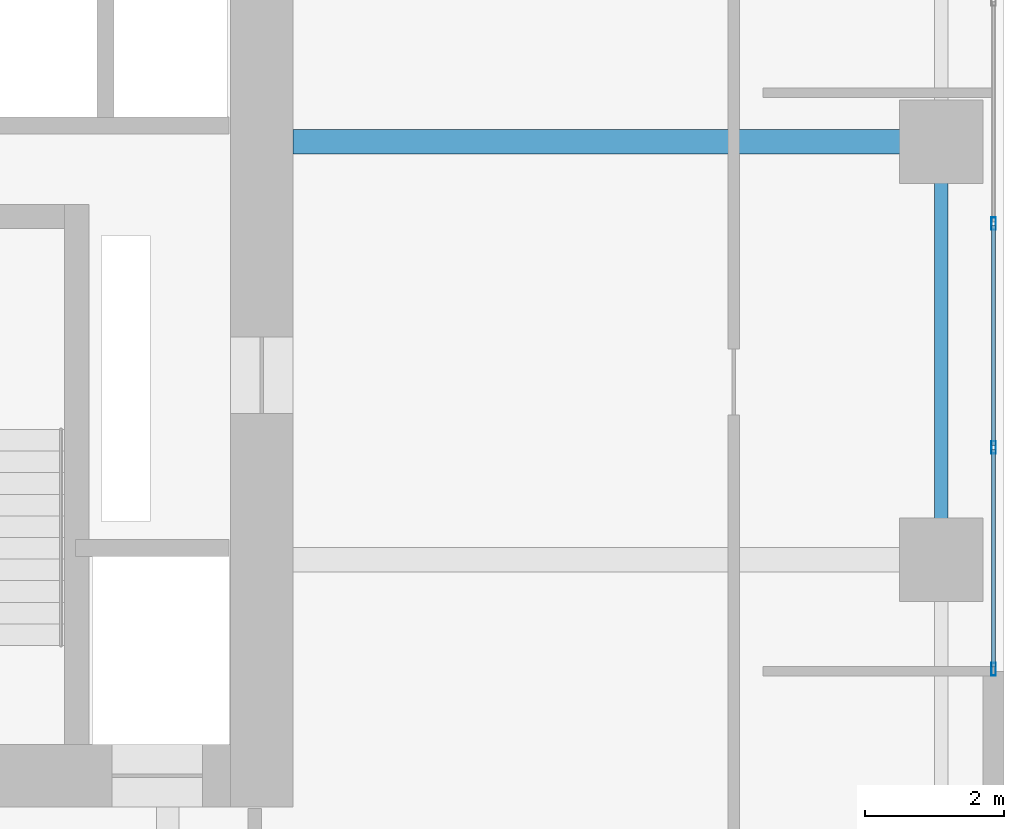
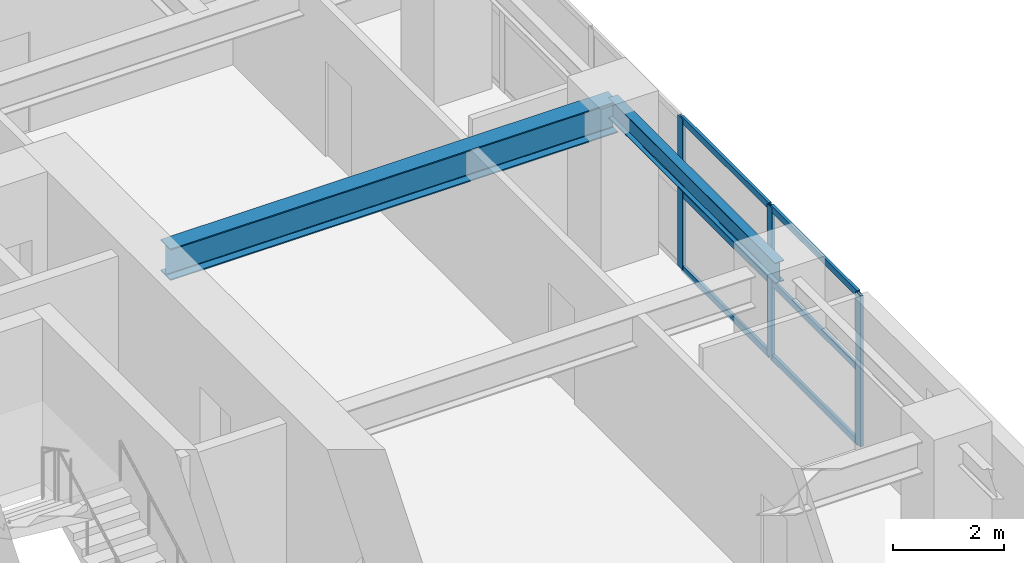
# One storey, part 7 of 24: 9 members, 2 beams, 1 element without a shape of its own.
"""IFC4 building model written with IfcOpenShell, lengths in metres."""

from ifc_helpers import new_model, si_unit, direction, frame, origin, origin_2d, place, context, subcontext, project, spatial, hollow_rectangle, i_section, extrude, source, transform, mapped, material, layer, layer_set, material_profile, profile_set, type_object, element, aggregate, save


model = new_model("IFC4")

# Units and contexts
model_context = context("Model", 3, precision=1e-05, world=origin(), true_north=direction((0.0, 1.0)))
body_context = subcontext(model_context, "Body", "Model", "MODEL_VIEW")
ifc_project = project(units=[si_unit("LENGTHUNIT", "METRE"), si_unit("AREAUNIT", "SQUARE_METRE"), si_unit("VOLUMEUNIT", "CUBIC_METRE"), si_unit("PLANEANGLEUNIT", "RADIAN"), si_unit("MASSUNIT", "GRAM", prefix="KILO")], contexts=[model_context])

# Site, building, storey
site_placement = place(None, origin())
site = spatial("IfcSite", under=ifc_project, at=site_placement, CompositionType="ELEMENT")
building_placement = place(site_placement, origin())
building = spatial("IfcBuilding", under=site, at=building_placement, Name="Khoralis Quay Care Tower", CompositionType="ELEMENT")
storey_placement = place(building_placement, frame((0.0, 0.0, 62.10009765625)))
storey = spatial("IfcBuildingStorey", under=building, at=storey_placement, Name="L16", CompositionType="ELEMENT", Elevation=62.10009765625)

# Beams
ifc_material_1 = material(Name="Steel S355", Category="steel")
ifc_material_profile_1 = material_profile(ifc_material_1, i_section(OverallWidth=0.18994140625, OverallDepth=0.449951171875, WebThickness=0.009521484375, FlangeThickness=0.0146484375, FilletRadius=0.02099609375, at=origin_2d()), Name="Steel S355")
ifc_profile_set_1 = profile_set([ifc_material_profile_1], Name="Steel S355")
beam_type_1 = type_object("IfcBeamType", Name="BM-IPE450", PredefinedType="SPANDREL", material=ifc_profile_set_1)
shared_shape_1 = source(origin(), body_context, "Body", "SweptSolid", [
    extrude(i_section(OverallWidth=0.18994140625, OverallDepth=0.449951171875, WebThickness=0.009521484375, FlangeThickness=0.0146484375, FilletRadius=0.02099609375, at=origin_2d()), origin(), (0.0, 0.0, 1.0), 6.0),
])
beam_1_placement = place(storey_placement, frame((47.10009765625, 18.0, 3.094970703125), z_axis=(0.0, 1.0, 0.0), x_axis=(-1.0, 0.0, 0.0)))
element("IfcBeam", 1, at=beam_1_placement, inside=storey, type_object=beam_type_1, Name="BM-TSP-L16-21", PredefinedType="SPANDREL", context=body_context, shape_type="MappedRepresentation", body=[
    mapped(shared_shape_1, transform((0.0, 0.0, 0.0), scale=1.0)),
])
ifc_material_profile_2 = material_profile(ifc_material_1, i_section(OverallWidth=0.35498046875, OverallDepth=0.695068359375, WebThickness=0.015380859375, FlangeThickness=0.02490234375, FilletRadius=0.02001953125, at=origin_2d()), Name="Steel S355")
ifc_profile_set_2 = profile_set([ifc_material_profile_2], Name="Steel S355")
beam_type_2 = type_object("IfcBeamType", Name="BM-W690X217", PredefinedType="BEAM", material=ifc_profile_set_2)
shared_shape_2 = source(origin(), body_context, "Body", "SweptSolid", [
    extrude(i_section(OverallWidth=0.35498046875, OverallDepth=0.695068359375, WebThickness=0.015380859375, FlangeThickness=0.02490234375, FilletRadius=0.02001953125, at=origin_2d()), origin(), (0.0, 0.0, 1.0), 9.302001953125),
])
beam_2_placement = place(storey_placement, frame((37.798095703125, 24.0, 2.972412109375), z_axis=(1.0, 0.0, 0.0), x_axis=(0.0, 1.0, 0.0)))
element("IfcBeam", 2, at=beam_2_placement, inside=storey, type_object=beam_type_2, Name="BM-TGXE-L16-240", PredefinedType="BEAM", context=body_context, shape_type="MappedRepresentation", body=[
    mapped(shared_shape_2, transform((0.0, 0.0, 0.0), scale=1.0)),
])

# Curtain wall, members
ifc_material_2 = material(Name="Pale anodised aluminium", Category="aluminium")
ifc_layer = layer(ifc_material_2, 0.179931640625)
ifc_layer_set = layer_set([ifc_layer], Name="Pale anodised aluminium")
curtain_wall_type = type_object("IfcCurtainWallType", Name="CW-SYS-Z1", PredefinedType="NOTDEFINED", material=ifc_layer_set)
curtain_wall_placement = place(storey_placement, origin())
curtain_wall = element("IfcCurtainWall", 3, at=curtain_wall_placement, inside=storey, type_object=curtain_wall_type, Name="L16 Unitised Curtain Wall CW-L16-P1-E5", PredefinedType="NOTDEFINED")
ifc_material_profile_3 = material_profile(ifc_material_2, hollow_rectangle(XDim=0.06005859375, YDim=0.139892578125, WallThickness=0.00390625, at=origin_2d()), Name="Pale anodised aluminium")
ifc_profile_set_3 = profile_set([ifc_material_profile_3], Name="Pale anodised aluminium")
member_type_1 = type_object("IfcMemberType", Name="CW-TRN-140", PredefinedType="USERDEFINED", material=ifc_profile_set_3)
shared_shape_3 = source(origin(), body_context, "Body", "SweptSolid", [
    extrude(hollow_rectangle(XDim=0.06005859375, YDim=0.139892578125, WallThickness=0.00390625, at=origin_2d()), origin(), (0.0, 0.0, 1.0), 3.1220703125),
])
member_1_placement = place(storey_placement, frame((47.85009765625, 16.4599609375, 0.02978515625), z_axis=(0.0, 1.0, 0.0), x_axis=(-1.0, 0.0, 0.0)))
member_1 = element("IfcMember", 4, at=member_1_placement, type_object=member_type_1, Name="CW1 transom 1.1", ObjectType="TRANSOM", PredefinedType="USERDEFINED", context=body_context, shape_type="MappedRepresentation", body=[
    mapped(shared_shape_3, transform((0.0, 0.0, 0.0), scale=1.0)),
])
member_2_placement = place(storey_placement, frame((47.85009765625, 16.4599609375, 1.659912109375), z_axis=(0.0, 1.0, 0.0), x_axis=(-1.0, 0.0, 0.0)))
member_2 = element("IfcMember", 5, at=member_2_placement, type_object=member_type_1, Name="CW1 transom 1.2", ObjectType="TRANSOM", PredefinedType="USERDEFINED", context=body_context, shape_type="MappedRepresentation", body=[
    mapped(shared_shape_3, transform((0.0, 0.0, 0.0), scale=1.0)),
])
member_3_placement = place(storey_placement, frame((47.85009765625, 16.4599609375, 3.289794921875), z_axis=(0.0, 1.0, 0.0), x_axis=(-1.0, 0.0, 0.0)))
member_3 = element("IfcMember", 6, at=member_3_placement, type_object=member_type_1, Name="CW1 transom 1.3", ObjectType="TRANSOM", PredefinedType="USERDEFINED", context=body_context, shape_type="MappedRepresentation", body=[
    mapped(shared_shape_3, transform((0.0, 0.0, 0.0), scale=1.0)),
])
shared_shape_4 = source(origin(), body_context, "Body", "SweptSolid", [
    extrude(hollow_rectangle(XDim=0.06005859375, YDim=0.139892578125, WallThickness=0.00390625, at=origin_2d()), origin(), (0.0, 0.0, 1.0), 3.15185546875),
])
member_4_placement = place(storey_placement, frame((47.85009765625, 19.64208984375, 0.02978515625), z_axis=(0.0, 1.0, 0.0), x_axis=(-1.0, 0.0, 0.0)))
member_4 = element("IfcMember", 7, at=member_4_placement, type_object=member_type_1, Name="CW1 transom 2.1", ObjectType="TRANSOM", PredefinedType="USERDEFINED", context=body_context, shape_type="MappedRepresentation", body=[
    mapped(shared_shape_4, transform((0.0, 0.0, 0.0), scale=1.0)),
])
member_5_placement = place(storey_placement, frame((47.85009765625, 19.64208984375, 1.659912109375), z_axis=(0.0, 1.0, 0.0), x_axis=(-1.0, 0.0, 0.0)))
member_5 = element("IfcMember", 8, at=member_5_placement, type_object=member_type_1, Name="CW1 transom 2.2", ObjectType="TRANSOM", PredefinedType="USERDEFINED", context=body_context, shape_type="MappedRepresentation", body=[
    mapped(shared_shape_4, transform((0.0, 0.0, 0.0), scale=1.0)),
])
member_6_placement = place(storey_placement, frame((47.85009765625, 19.64208984375, 3.289794921875), z_axis=(0.0, 1.0, 0.0), x_axis=(-1.0, 0.0, 0.0)))
member_6 = element("IfcMember", 9, at=member_6_placement, type_object=member_type_1, Name="CW1 transom 2.3", ObjectType="TRANSOM", PredefinedType="USERDEFINED", context=body_context, shape_type="MappedRepresentation", body=[
    mapped(shared_shape_4, transform((0.0, 0.0, 0.0), scale=1.0)),
])
ifc_material_profile_4 = material_profile(ifc_material_2, hollow_rectangle(XDim=0.06494140625, YDim=0.179931640625, WallThickness=0.00390625, at=origin_2d()), Name="Pale anodised aluminium")
ifc_profile_set_4 = profile_set([ifc_material_profile_4], Name="Pale anodised aluminium")
member_type_2 = type_object("IfcMemberType", Name="CW-MUL-180", PredefinedType="MULLION", material=ifc_profile_set_4)
shared_shape_5 = source(origin(), body_context, "Body", "SweptSolid", [
    extrude(hollow_rectangle(XDim=0.06494140625, YDim=0.179931640625, WallThickness=0.00390625, at=origin_2d()), origin(), (0.0, 0.0, 1.0), 3.31982421875),
])
member_7_placement = place(storey_placement, frame((47.85009765625, 16.429931640625, 0.0), z_axis=(0.0, 0.0, 1.0), x_axis=(-1.0, 0.0, 0.0)))
member_7 = element("IfcMember", 10, at=member_7_placement, type_object=member_type_2, Name="CW1 mullion 1", PredefinedType="MULLION", context=body_context, shape_type="MappedRepresentation", body=[
    mapped(shared_shape_5, transform((0.0, 0.0, 0.0), scale=1.0)),
])
member_8_placement = place(storey_placement, frame((47.85009765625, 19.612060546875, 0.0), z_axis=(0.0, 0.0, 1.0), x_axis=(-1.0, 0.0, 0.0)))
member_8 = element("IfcMember", 11, at=member_8_placement, type_object=member_type_2, Name="CW1 mullion 2", PredefinedType="MULLION", context=body_context, shape_type="MappedRepresentation", body=[
    mapped(shared_shape_5, transform((0.0, 0.0, 0.0), scale=1.0)),
])
member_9_placement = place(storey_placement, frame((47.85009765625, 22.823974609375, 0.0), z_axis=(0.0, 0.0, 1.0), x_axis=(-1.0, 0.0, 0.0)))
member_9 = element("IfcMember", 12, at=member_9_placement, type_object=member_type_2, Name="CW1 mullion 3", PredefinedType="MULLION", context=body_context, shape_type="MappedRepresentation", body=[
    mapped(shared_shape_5, transform((0.0, 0.0, 0.0), scale=1.0)),
])
aggregate(curtain_wall, [member_7, member_8, member_9, member_1, member_2, member_3, member_4, member_5, member_6])

save(model, "model.ifc")
